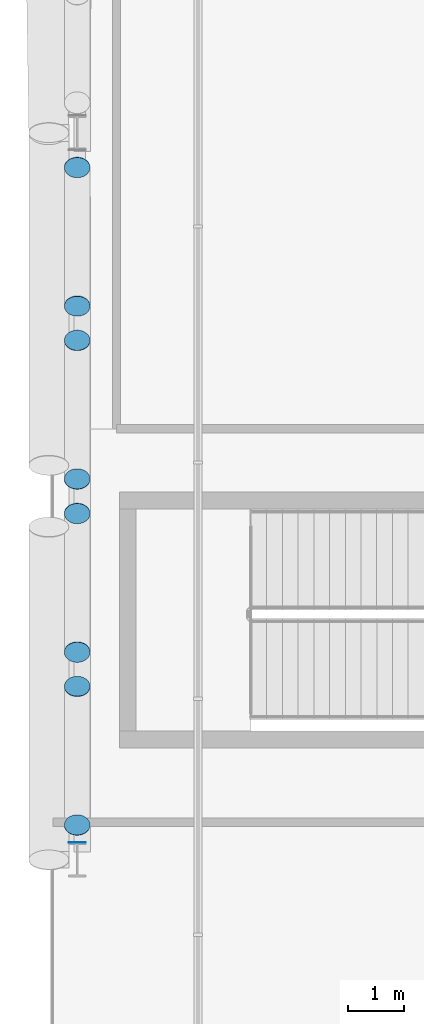
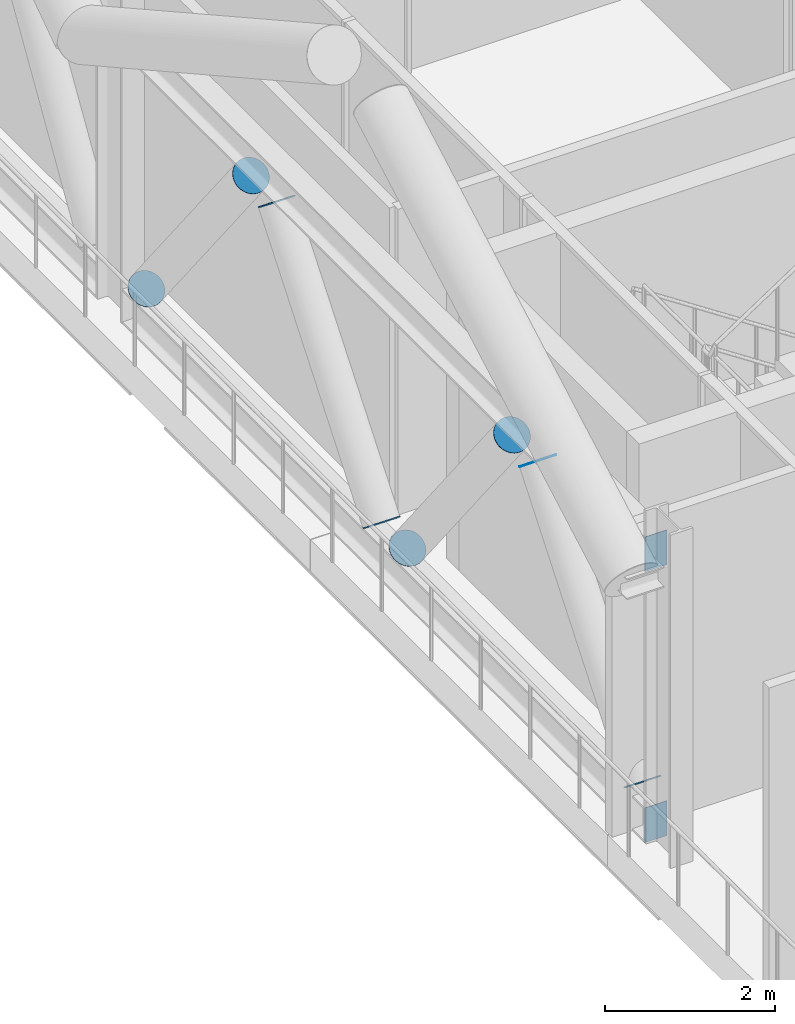
# One storey, part 28 of 42: 10 discrete accessories.
"""IFC4 building model written with IfcOpenShell, lengths in metres."""

import ifcopenshell
import ifcopenshell.guid

model = None  # the IFC model being written
_history = None  # IfcOwnerHistory: only IFC2X3 demands one
_inside = {}  # id of a spatial element -> (the spatial element, [elements in it])
_under = {}  # id of a project, library or spatial element -> (it, [spatial elements below it])
_declared = {}  # id of a project -> (the project, [libraries it declares])
_typed = {}  # id of a type object -> (the type object, [elements of that type])
_made_of = {}  # id of a material, layer set ... -> (it, [elements and type objects made of it])


def new_model(schema):
    """Start an empty IFC model of exactly this schema.

    Asked for "IFC4X3", IfcOpenShell would pick the latest addendum, in which some entities
    have other attributes; the version numbers below select the first issue.
    IFC2X3 requires an IfcOwnerHistory on every rooted entity: one is made here for all.
    """
    global model, _history
    if schema == "IFC4X3":
        model = ifcopenshell.file(schema_version=(4, 3, 0, 0))
    else:
        model = ifcopenshell.file(schema=schema)
    _inside.clear()
    _under.clear()
    _declared.clear()
    _typed.clear()
    _made_of.clear()
    _history = None
    if model.schema == "IFC2X3":
        org = make("IfcOrganization", Name="unknown")
        user = make(
            "IfcPersonAndOrganization",
            ThePerson=make("IfcPerson", FamilyName="unknown"),
            TheOrganization=org,
        )
        app = make(
            "IfcApplication",
            ApplicationDeveloper=org,
            Version="unknown",
            ApplicationFullName="unknown",
            ApplicationIdentifier="unknown",
        )
        _history = make(
            "IfcOwnerHistory",
            OwningUser=user,
            OwningApplication=app,
            ChangeAction="ADDED",
            CreationDate=0,
        )
    return model


def make(cls, **values):
    """One entity of the class cls with the attributes given. An attribute that is None is left unset."""
    return model.create_entity(
        cls, **{name: value for name, value in values.items() if value is not None}
    )


def rooted(cls, **values):
    """An entity with a GlobalId (a new one), such as an element, a storey or a relation."""
    return make(cls, GlobalId=ifcopenshell.guid.new(), OwnerHistory=_history, **values)


def si_unit(unit_type, name, prefix=None):
    """IfcSIUnit, for example si_unit("LENGTHUNIT", "METRE", prefix="MILLI")."""
    return make("IfcSIUnit", UnitType=unit_type, Prefix=prefix, Name=name)


def assignment(units):
    """IfcUnitAssignment: the units of a project."""
    return None if units is None else make("IfcUnitAssignment", Units=units)


def point(xyz):
    """IfcCartesianPoint."""
    return None if xyz is None else make("IfcCartesianPoint", Coordinates=xyz)


def direction(xyz):
    """IfcDirection."""
    return None if xyz is None else make("IfcDirection", DirectionRatios=xyz)


def frame(location, z_axis=None, x_axis=None):
    """IfcAxis2Placement3D, a coordinate frame: its origin and axes. An axis left out is left unset."""
    return make(
        "IfcAxis2Placement3D",
        Location=point(location),
        Axis=direction(z_axis),
        RefDirection=direction(x_axis),
    )


def frame_2d(location, x_axis=None):
    """IfcAxis2Placement2D, a coordinate frame in the plane: its origin and x axis."""
    return make(
        "IfcAxis2Placement2D", Location=point(location), RefDirection=direction(x_axis)
    )


def origin():
    """The frame at (0, 0, 0) with its axes left unset."""
    return frame((0.0, 0.0, 0.0))


def origin_2d():
    """The frame at (0, 0) in the plane with its x axis left unset."""
    return frame_2d((0.0, 0.0))


def place(relative_to, where):
    """IfcLocalPlacement: puts the frame where relative to a parent placement (None: the world)."""
    return make(
        "IfcLocalPlacement", PlacementRelTo=relative_to, RelativePlacement=where
    )


def context(
    kind, dimensions, precision=None, world=None, true_north=None, identifier=None
):
    """IfcGeometricRepresentationContext, for example the 3D "Model" context."""
    return make(
        "IfcGeometricRepresentationContext",
        ContextIdentifier=identifier,
        ContextType=kind,
        CoordinateSpaceDimension=dimensions,
        Precision=precision,
        WorldCoordinateSystem=world,
        TrueNorth=true_north,
    )


def subcontext(parent, identifier, kind, view, scale=None):
    """IfcGeometricRepresentationSubContext, for example "Body" below "Model"."""
    return make(
        "IfcGeometricRepresentationSubContext",
        ContextIdentifier=identifier,
        ContextType=kind,
        ParentContext=parent,
        TargetScale=scale,
        TargetView=view,
    )


def project(units=None, contexts=None):
    """IfcProject with its units and contexts."""
    return rooted(
        "IfcProject",
        Name="project",
        RepresentationContexts=contexts,
        UnitsInContext=assignment(units),
    )


def spatial(cls, under=None, at=None, **own):
    """A site, building, storey or space (cls), placed at a placement, below another one or the project."""
    s = rooted(cls, ObjectPlacement=at, **own)
    if under is not None:
        _under.setdefault(under.id(), (under, []))[1].append(s)
    return s


def profile(cls, at=None, kind="AREA", **sizes):
    """A parametric profile (cls). Its sizes go by their IFC names, for example OverallWidth=200.0."""
    return make(cls, ProfileType=kind, Position=at, **sizes)


def rectangle(**sizes):
    """IfcRectangleProfileDef."""
    return profile("IfcRectangleProfileDef", **sizes)


def circle(**sizes):
    """IfcCircleProfileDef."""
    return profile("IfcCircleProfileDef", **sizes)


def extrude(swept, where, along, depth):
    """IfcExtrudedAreaSolid: the profile swept, set in the frame where, extruded along a direction by depth."""
    return make(
        "IfcExtrudedAreaSolid",
        SweptArea=swept,
        Position=where,
        ExtrudedDirection=direction(along),
        Depth=depth,
    )


def shape(context_of_items, identifier, shape_type, items):
    """IfcShapeRepresentation: the items that make up one representation, for example the "Body"."""
    return make(
        "IfcShapeRepresentation",
        ContextOfItems=context_of_items,
        RepresentationIdentifier=identifier,
        RepresentationType=shape_type,
        Items=items,
    )


def material(Name=None, Category=None):
    """IfcMaterial."""
    return make("IfcMaterial", Name=Name, Category=Category)


def material_profile(
    of_material, cross_section, Name=None, Category=None, Priority=None
):
    """IfcMaterialProfile: a cross section and its material."""
    return make(
        "IfcMaterialProfile",
        Name=Name,
        Material=of_material,
        Profile=cross_section,
        Priority=Priority,
        Category=Category,
    )


def profile_set(profiles, Name=None, composite=None):
    """IfcMaterialProfileSet."""
    return make(
        "IfcMaterialProfileSet",
        Name=Name,
        MaterialProfiles=profiles,
        CompositeProfile=composite,
    )


def made_of(thing, what):
    """Note that an element or type object is made of a material, layer set ...; save() writes the relation."""
    if what is not None:
        _made_of.setdefault(what.id(), (what, []))[1].append(thing)
    return thing


def type_object(cls, material=None, **own):
    """A type object (cls), such as IfcWallType, which elements share."""
    return made_of(rooted(cls, **own), material)


def element(
    cls,
    number,
    at=None,
    inside=None,
    cuts=None,
    type_object=None,
    material=None,
    context=None,
    identifier="Body",
    shape_type=None,
    held_by="IfcProductDefinitionShape",
    body=None,
    shapes=None,
    **own,
):
    """One element of the class cls, such as IfcWall. Its Tag is "e" and its number.

    at: its placement. inside: the storey or other place that contains it. cuts: it is an
    opening in that element (IfcRelVoidsElement). A single representation is given by context,
    identifier, shape_type and body (its items); several are given by shapes. held_by: the class
    of the entity that holds the representations. save() writes the other relations.
    """
    e = rooted(cls, Tag="e%d" % number, ObjectPlacement=at, **own)
    if body is not None:
        shapes = [shape(context, identifier, shape_type, body)]
    if shapes is not None:
        e.Representation = make(held_by, Representations=shapes)
    if inside is not None:
        _inside.setdefault(inside.id(), (inside, []))[1].append(e)
    if cuts is not None:
        rooted(
            "IfcRelVoidsElement", RelatingBuildingElement=cuts, RelatedOpeningElement=e
        )
    if type_object is not None:
        _typed.setdefault(type_object.id(), (type_object, []))[1].append(e)
    return made_of(e, material)


def aggregate(whole, parts):
    """IfcRelAggregates: a whole, such as a stair, and the parts it consists of."""
    return rooted("IfcRelAggregates", RelatingObject=whole, RelatedObjects=parts)


def save(model, path):
    """Write the relations noted so far, then the file.

    IfcRelAggregates (storeys below a building ...), IfcRelContainedInSpatialStructure (elements
    in a storey), IfcRelDefinesByType, IfcRelAssociatesMaterial and IfcRelDeclares: one each for
    every whole, place, type object, material and project.
    """
    for whole, parts in _under.values():
        aggregate(whole, parts)
    for where, things in _inside.values():
        rooted(
            "IfcRelContainedInSpatialStructure",
            RelatedElements=things,
            RelatingStructure=where,
        )
    for kind, things in _typed.values():
        rooted("IfcRelDefinesByType", RelatedObjects=things, RelatingType=kind)
    for what, things in _made_of.values():
        rooted("IfcRelAssociatesMaterial", RelatedObjects=things, RelatingMaterial=what)
    for by, libraries in _declared.values():
        rooted("IfcRelDeclares", RelatingContext=by, RelatedDefinitions=libraries)
    model.write(path)


model = new_model("IFC4")

# Units and contexts
model_context = context("Model", 3, precision=1e-05, world=origin(), true_north=direction((0.0, 1.0)))
body_context = subcontext(model_context, "Body", "Model", "MODEL_VIEW")
ifc_project = project(units=[si_unit("LENGTHUNIT", "METRE"), si_unit("AREAUNIT", "SQUARE_METRE"), si_unit("VOLUMEUNIT", "CUBIC_METRE"), si_unit("PLANEANGLEUNIT", "RADIAN"), si_unit("MASSUNIT", "GRAM", prefix="KILO")], contexts=[model_context])

# Site, building, storey
site_placement = place(None, origin())
site = spatial("IfcSite", under=ifc_project, at=site_placement, CompositionType="ELEMENT")
building_placement = place(site_placement, origin())
building = spatial("IfcBuilding", under=site, at=building_placement, Name="Wharfspan Tower", CompositionType="ELEMENT")
storey_placement = place(building_placement, frame((0.0, 0.0, 147.100098)))
storey = spatial("IfcBuildingStorey", under=building, at=storey_placement, Name="L35", CompositionType="ELEMENT", Elevation=147.100098)

# Discrete accessories
ifc_material_1 = material(Name="Steel S460NH", Category="steel")
ifc_material_profile_1 = material_profile(ifc_material_1, circle(Radius=0.228516, at=origin_2d()))
ifc_profile_set_1 = profile_set([ifc_material_profile_1], Name="Steel S460NH")
discrete_accessory_type_1 = type_object("IfcDiscreteAccessoryType", Name="End plate CHS 457x16", PredefinedType="BRACKET", material=ifc_profile_set_1)
for number, where, z_axis, x_axis, name in (
    (1, (7.449951, 30.85376, 0.633545), (0.0, -0.615644, 0.788024), (1.0, 0.0, 0.0), "End plate CHS 457x16"),
    (2, (7.449951, 28.387451, 3.758301), (0.0, -0.630593, 0.776114), (1.0, 0.0, 0.0), "End plate CHS 457x16"),
    (3, (7.449951, 27.775391, 3.766113), (0.0, -0.615644, -0.788024), (1.0, 0.0, 0.0), "End plate CHS 457x16"),
    (4, (7.449951, 25.309082, 0.641357), (0.0, -0.615644, -0.788024), (1.0, 0.0, 0.0), "End plate CHS 457x16"),
    (5, (7.449951, 24.697021, 0.633545), (0.0, -0.615644, 0.788024), (1.0, 0.0, 0.0), "End plate CHS 457x16"),
    (6, (7.449951, 22.230713, 3.758301), (0.0, -0.615644, 0.788024), (1.0, 0.0, 0.0), "End plate CHS 457x16"),
    (7, (7.449951, 21.618896, 3.766113), (0.0, -0.630593, -0.776114), (1.0, 0.0, 0.0), "End plate CHS 457x16"),
    (8, (7.449951, 19.152344, 0.641357), (0.0, -0.615644, -0.788024), (1.0, 0.0, 0.0), "End plate CHS 457x16"),
):
    element("IfcDiscreteAccessory", number, at=place(storey_placement, frame(where, z_axis=z_axis, x_axis=x_axis)), inside=storey, type_object=discrete_accessory_type_1, Name=name, PredefinedType="BRACKET", context=body_context, shape_type="SweptSolid", body=[
        extrude(circle(Radius=0.228516, at=origin_2d()), origin(), (0.0, 0.0, 1.0), 0.01001),
    ])
ifc_material_2 = material(Name="Steel S355J2", Category="steel")
ifc_material_profile_2 = material_profile(ifc_material_2, rectangle(XDim=0.300049, YDim=0.5, at=origin_2d()))
ifc_profile_set_2 = profile_set([ifc_material_profile_2], Name="Steel S355J2")
discrete_accessory_type_2 = type_object("IfcDiscreteAccessoryType", Name="End plate HEB 500", PredefinedType="BRACKET", material=ifc_profile_set_2)
for number, where, z_axis, x_axis, name in (
    (9, (7.449951, 18.843262, 4.149902), (0.0, -1.0, 0.0), (1.0, 0.0, 0.0), "End plate HEB 500"),
    (10, (7.449951, 18.843262, 0.25), (0.0, -1.0, 0.0), (1.0, 0.0, 0.0), "End plate HEB 500"),
):
    element("IfcDiscreteAccessory", number, at=place(storey_placement, frame(where, z_axis=z_axis, x_axis=x_axis)), inside=storey, type_object=discrete_accessory_type_2, Name=name, PredefinedType="BRACKET", context=body_context, shape_type="SweptSolid", body=[
        extrude(rectangle(XDim=0.300049, YDim=0.5, at=origin_2d()), origin(), (0.0, 0.0, 1.0), 0.01001),
    ])

save(model, "model.ifc")
